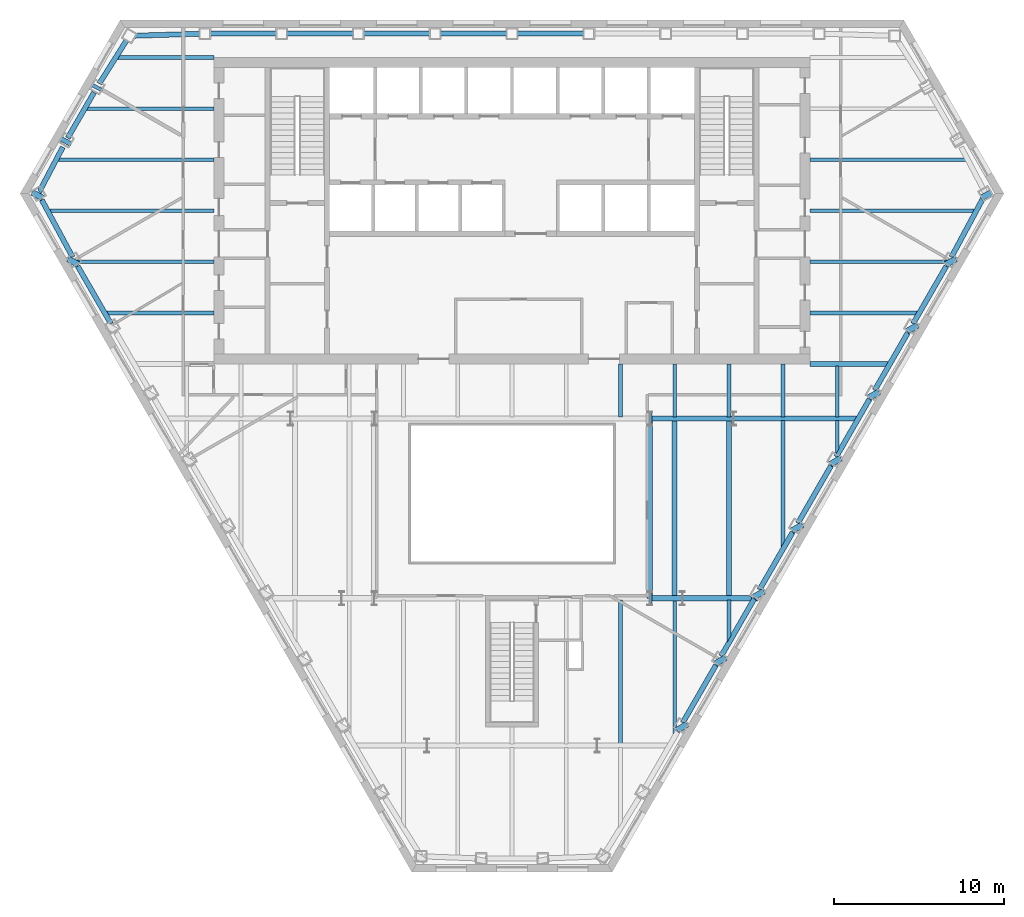
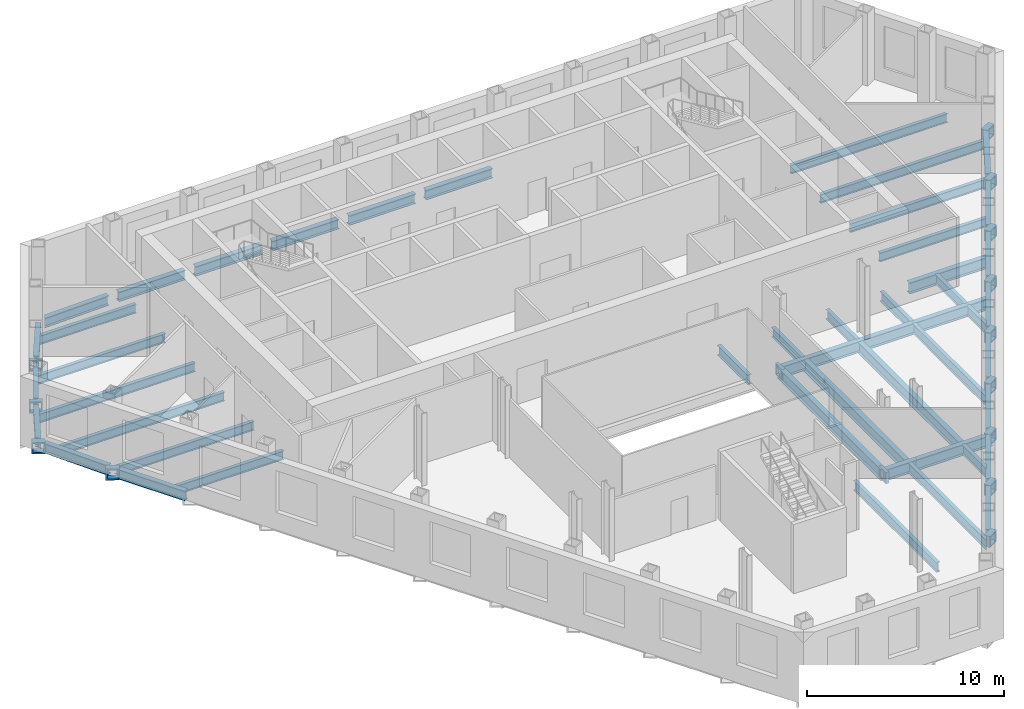
# One storey, part 3 of 11: 62 beams.
"""IFC4 building model written with IfcOpenShell, lengths in metres."""

from ifc_helpers import new_model, si_unit, direction, frame, origin, origin_2d, place, context, subcontext, project, spatial, hollow_rectangle, i_section, extrude, clip, halfspace, material, material_profile, profile_set, type_object, element, save


model = new_model("IFC4")

# Units and contexts
model_context = context("Model", 3, precision=1e-05, world=origin(), true_north=direction((0.0, 1.0)))
body_context = subcontext(model_context, "Body", "Model", "MODEL_VIEW")
ifc_project = project(units=[si_unit("LENGTHUNIT", "METRE"), si_unit("AREAUNIT", "SQUARE_METRE"), si_unit("VOLUMEUNIT", "CUBIC_METRE"), si_unit("PLANEANGLEUNIT", "RADIAN"), si_unit("MASSUNIT", "GRAM", prefix="KILO")], contexts=[model_context])

# Site, building, storey
site_placement = place(None, origin())
site = spatial("IfcSite", under=ifc_project, at=site_placement, CompositionType="ELEMENT")
building_placement = place(site_placement, origin())
building = spatial("IfcBuilding", under=site, at=building_placement, Name="Njiva Tower", CompositionType="ELEMENT")
storey_placement = place(building_placement, frame((0.0, 0.0, 33.3)))
storey = spatial("IfcBuildingStorey", under=building, at=storey_placement, Name="L06", CompositionType="ELEMENT", Elevation=33.3)

# Beams
ifc_material = material(Name="Steel S355 J2", Category="steel")
ifc_material_profile_1 = material_profile(ifc_material, i_section(OverallWidth=0.21, OverallDepth=0.55, WebThickness=0.0111, FlangeThickness=0.0172, at=origin_2d()), Name="IPE 550")
ifc_profile_set_1 = profile_set([ifc_material_profile_1], Name="Steel S355 J2")
beam_type_1 = type_object("IfcBeamType", Name="B10 Floor beam to the core IPE 550", PredefinedType="BEAM", material=ifc_profile_set_1)
beam_1_placement = place(storey_placement, frame((-23.876, 3.0, -0.475), z_axis=(1.0, 0.0, 0.0), x_axis=(0.0, 1.0, 0.0)))
element("IfcBeam", 1, at=beam_1_placement, inside=storey, type_object=beam_type_1, Name="Floor beam to the core S02-B006", PredefinedType="BEAM", context=body_context, shape_type="Clipping", body=[
    clip(extrude(i_section(OverallWidth=0.21, OverallDepth=0.55, WebThickness=0.0111, FlangeThickness=0.0172, at=origin_2d()), origin(), (0.0, 0.0, 1.0), 6.376), halfspace(frame((-0.025, 0.0, 0.0951), z_axis=(-0.499998009787, 0.0, -0.866026552831), x_axis=(0.0, -1.0, 0.0)), False)),
])
beam_2_placement = place(storey_placement, frame((17.5, 3.0, -0.475), z_axis=(1.0, 0.0, 0.0), x_axis=(0.0, 1.0, 0.0)))
element("IfcBeam", 2, at=beam_2_placement, inside=storey, type_object=beam_type_1, Name="Floor beam to the core S02-B008", PredefinedType="BEAM", context=body_context, shape_type="Clipping", body=[
    clip(extrude(i_section(OverallWidth=0.21, OverallDepth=0.55, WebThickness=0.0111, FlangeThickness=0.0172, at=origin_2d()), origin(), (0.0, 0.0, 1.0), 6.376), halfspace(frame((-0.025, 0.0, 6.2809), z_axis=(-0.499998009787, 0.0, 0.866026552831), x_axis=(0.0, 1.0, 0.0)), False)),
])
beam_3_placement = place(storey_placement, frame((-25.612, 6.0, -0.475), z_axis=(1.0, 0.0, 0.0), x_axis=(0.0, 1.0, 0.0)))
element("IfcBeam", 3, at=beam_3_placement, inside=storey, type_object=beam_type_1, Name="Floor beam to the core S02-B003", PredefinedType="BEAM", context=body_context, shape_type="Clipping", body=[
    clip(extrude(i_section(OverallWidth=0.21, OverallDepth=0.55, WebThickness=0.0111, FlangeThickness=0.0172, at=origin_2d()), origin(), (0.0, 0.0, 1.0), 8.112), halfspace(frame((-0.025, 0.0, 0.0954), z_axis=(-0.499998009787, 0.0, -0.866026552831), x_axis=(0.0, -1.0, 0.0)), False)),
])
beam_4_placement = place(storey_placement, frame((17.5, 6.0, -0.475), z_axis=(1.0, 0.0, 0.0), x_axis=(0.0, 1.0, 0.0)))
element("IfcBeam", 4, at=beam_4_placement, inside=storey, type_object=beam_type_1, Name="Floor beam to the core S02-B010", PredefinedType="BEAM", context=body_context, shape_type="Clipping", body=[
    clip(extrude(i_section(OverallWidth=0.21, OverallDepth=0.55, WebThickness=0.0111, FlangeThickness=0.0172, at=origin_2d()), origin(), (0.0, 0.0, 1.0), 8.112), halfspace(frame((-0.025, 0.0, 8.0166), z_axis=(-0.499998009787, 0.0, 0.866026552831), x_axis=(0.0, 1.0, 0.0)), False)),
])
beam_5_placement = place(storey_placement, frame((-26.721, 12.0, -0.475), z_axis=(1.0, 0.0, 0.0), x_axis=(0.0, 1.0, 0.0)))
element("IfcBeam", 5, at=beam_5_placement, inside=storey, type_object=beam_type_1, Name="Floor beam to the core S02-B002", PredefinedType="BEAM", context=body_context, shape_type="Clipping", body=[
    clip(extrude(i_section(OverallWidth=0.21, OverallDepth=0.55, WebThickness=0.0111, FlangeThickness=0.0172, at=origin_2d()), origin(), (0.0, 0.0, 1.0), 9.221), halfspace(frame((0.0234, 0.0, 0.0871), z_axis=(0.467062323174, 0.0, -0.884224398143), x_axis=(0.0, -1.0, 0.0)), False)),
])
beam_6_placement = place(storey_placement, frame((17.5, 12.0, -0.475), z_axis=(1.0, 0.0, 0.0), x_axis=(0.0, 1.0, 0.0)))
element("IfcBeam", 6, at=beam_6_placement, inside=storey, type_object=beam_type_1, Name="Floor beam to the core S02-B012", PredefinedType="BEAM", context=body_context, shape_type="Clipping", body=[
    clip(extrude(i_section(OverallWidth=0.21, OverallDepth=0.55, WebThickness=0.0111, FlangeThickness=0.0172, at=origin_2d()), origin(), (0.0, 0.0, 1.0), 9.221), halfspace(frame((0.0234, 0.0, 9.1339), z_axis=(0.467062323174, 0.0, 0.884224398143), x_axis=(0.0, 1.0, 0.0)), False)),
])
beam_7_placement = place(storey_placement, frame((-25.049, 15.0, -0.475), z_axis=(1.0, 0.0, 0.0), x_axis=(0.0, 1.0, 0.0)))
element("IfcBeam", 7, at=beam_7_placement, inside=storey, type_object=beam_type_1, Name="Floor beam to the core S02-B005", PredefinedType="BEAM", context=body_context, shape_type="Clipping", body=[
    clip(extrude(i_section(OverallWidth=0.21, OverallDepth=0.55, WebThickness=0.0111, FlangeThickness=0.0172, at=origin_2d()), origin(), (0.0, 0.0, 1.0), 7.549), halfspace(frame((0.025, 0.0, 0.0954), z_axis=(0.499998009787, 0.0, -0.866026552831), x_axis=(0.0, -1.0, 0.0)), False)),
])
beam_8_placement = place(storey_placement, frame((-23.231, 18.0, -0.475), z_axis=(1.0, 0.0, 0.0), x_axis=(0.0, 1.0, 0.0)))
element("IfcBeam", 8, at=beam_8_placement, inside=storey, type_object=beam_type_1, Name="Floor beam to the core S02-B007", PredefinedType="BEAM", context=body_context, shape_type="Clipping", body=[
    clip(extrude(i_section(OverallWidth=0.21, OverallDepth=0.55, WebThickness=0.0111, FlangeThickness=0.0172, at=origin_2d()), origin(), (0.0, 0.0, 1.0), 5.731), halfspace(frame((0.0266, 0.0, 0.1031), z_axis=(0.53222991141, 0.0, -0.846599859083), x_axis=(0.0, -1.0, 0.0)), False)),
])
ifc_material_profile_2 = material_profile(ifc_material, i_section(OverallWidth=0.21, OverallDepth=0.55, WebThickness=0.0111, FlangeThickness=0.0172, at=origin_2d()), Name="IPE 550")
ifc_profile_set_2 = profile_set([ifc_material_profile_2], Name="Steel S355 J2")
beam_type_2 = type_object("IfcBeamType", Name="B11 Long-span floor beam to the core IPE 550", PredefinedType="BEAM", material=ifc_profile_set_2)
beam_9_placement = place(storey_placement, frame((-27.224, 9.0, -0.475), z_axis=(1.0, 0.0, 0.0), x_axis=(0.0, 1.0, 0.0)))
element("IfcBeam", 9, at=beam_9_placement, inside=storey, type_object=beam_type_2, Name="Long-span floor beam to the core S02-B001", PredefinedType="BEAM", context=body_context, shape_type="Clipping", body=[
    clip(extrude(i_section(OverallWidth=0.21, OverallDepth=0.55, WebThickness=0.0111, FlangeThickness=0.0172, at=origin_2d()), origin(), (0.0, 0.0, 1.0), 9.724), halfspace(frame((-0.0237, 0.0, 0.0891), z_axis=(-0.473777178452, 0.0, -0.88064475538), x_axis=(0.0, -1.0, 0.0)), False)),
])
beam_10_placement = place(storey_placement, frame((17.5, 9.0, -0.475), z_axis=(1.0, 0.0, 0.0), x_axis=(0.0, 1.0, 0.0)))
element("IfcBeam", 10, at=beam_10_placement, inside=storey, type_object=beam_type_2, Name="Long-span floor beam to the core S02-B011", PredefinedType="BEAM", context=body_context, shape_type="Clipping", body=[
    clip(extrude(i_section(OverallWidth=0.21, OverallDepth=0.55, WebThickness=0.0111, FlangeThickness=0.0172, at=origin_2d()), origin(), (0.0, 0.0, 1.0), 9.724), halfspace(frame((-0.0237, 0.0, 9.6349), z_axis=(-0.473777178452, 0.0, 0.88064475538), x_axis=(0.0, 1.0, 0.0)), False)),
])
ifc_material_profile_3 = material_profile(ifc_material, i_section(OverallWidth=0.3, OverallDepth=0.69, WebThickness=0.0145, FlangeThickness=0.027, at=origin_2d()), Name="HEA 700")
ifc_profile_set_3 = profile_set([ifc_material_profile_3], Name="Steel S355 J2")
beam_type_3 = type_object("IfcBeamType", Name="B12 Long-span floor joist HEA 700", PredefinedType="JOIST", material=ifc_profile_set_3)
for number, where, z_axis, x_axis, name in (
    (11, (9.55, -3.3, -0.545), (0.0, -1.0, 0.0), (1.0, 0.0, 0.0), "Long-span floor joist S02-B089"),
    (12, (12.733, -3.3, -0.545), (0.0, -1.0, 0.0), (1.0, 0.0, 0.0), "Long-span floor joist S02-B092"),
):
    element("IfcBeam", number, at=place(storey_placement, frame(where, z_axis=z_axis, x_axis=x_axis)), inside=storey, type_object=beam_type_3, Name=name, PredefinedType="JOIST", context=body_context, shape_type="SweptSolid", body=[
        extrude(i_section(OverallWidth=0.3, OverallDepth=0.69, WebThickness=0.0145, FlangeThickness=0.027, at=origin_2d()), origin(), (0.0, 0.0, 1.0), 10.35),
    ])
ifc_material_profile_4 = material_profile(ifc_material, i_section(OverallWidth=0.22, OverallDepth=0.6, WebThickness=0.012, FlangeThickness=0.019, at=origin_2d()), Name="IPE 600")
ifc_profile_set_4 = profile_set([ifc_material_profile_4], Name="Steel S355 J2")
beam_type_4 = type_object("IfcBeamType", Name="B13 Floor joist IPE 600", PredefinedType="JOIST", material=ifc_profile_set_4)
beam_11_placement = place(storey_placement, frame((6.367, -13.851, -0.5), z_axis=(0.0, -1.0, 0.0), x_axis=(1.0, 0.0, 0.0)))
element("IfcBeam", 13, at=beam_11_placement, inside=storey, type_object=beam_type_4, Name="Floor joist S02-B086", PredefinedType="JOIST", context=body_context, shape_type="SweptSolid", body=[
    extrude(i_section(OverallWidth=0.22, OverallDepth=0.6, WebThickness=0.012, FlangeThickness=0.019, at=origin_2d()), origin(), (0.0, 0.0, 1.0), 8.449),
])
beam_12_placement = place(storey_placement, frame((9.55, -13.85, -0.5), z_axis=(0.0, -1.0, 0.0), x_axis=(1.0, 0.0, 0.0)))
element("IfcBeam", 14, at=beam_12_placement, inside=storey, type_object=beam_type_4, Name="Floor joist S02-B088", PredefinedType="JOIST", context=body_context, shape_type="Clipping", body=[
    clip(extrude(i_section(OverallWidth=0.22, OverallDepth=0.6, WebThickness=0.012, FlangeThickness=0.019, at=origin_2d()), origin(), (0.0, 0.0, 1.0), 8.035), halfspace(frame((0.0433, 0.0, 7.7487), z_axis=(0.866026552831, 0.0, 0.499998009787), x_axis=(0.0, 1.0, 0.0)), False)),
])
beam_13_placement = place(storey_placement, frame((15.917, -3.3, -0.5), z_axis=(0.0, -1.0, 0.0), x_axis=(1.0, 0.0, 0.0)))
element("IfcBeam", 15, at=beam_13_placement, inside=storey, type_object=beam_type_4, Name="Floor joist S02-B094", PredefinedType="JOIST", context=body_context, shape_type="Clipping", body=[
    clip(extrude(i_section(OverallWidth=0.22, OverallDepth=0.6, WebThickness=0.012, FlangeThickness=0.019, at=origin_2d()), origin(), (0.0, 0.0, 1.0), 7.557), halfspace(frame((0.043, 0.0, 7.2713), z_axis=(0.866026552831, 0.0, 0.499998009787), x_axis=(0.0, 1.0, 0.0)), False)),
])
ifc_material_profile_5 = material_profile(ifc_material, i_section(OverallWidth=0.22, OverallDepth=0.6, WebThickness=0.012, FlangeThickness=0.019, at=origin_2d()), Name="IPE 600")
ifc_profile_set_5 = profile_set([ifc_material_profile_5], Name="Steel S355 J2")
beam_type_5 = type_object("IfcBeamType", Name="B14 Short-span floor joist IPE 600", PredefinedType="JOIST", material=ifc_profile_set_5)
beam_14_placement = place(storey_placement, frame((6.367, -0.005, -0.5), z_axis=(0.0, -1.0, 0.0), x_axis=(1.0, 0.0, 0.0)))
element("IfcBeam", 16, at=beam_14_placement, inside=storey, type_object=beam_type_5, Name="Short-span floor joist S02-B087", PredefinedType="JOIST", context=body_context, shape_type="SweptSolid", body=[
    extrude(i_section(OverallWidth=0.22, OverallDepth=0.6, WebThickness=0.012, FlangeThickness=0.019, at=origin_2d()), origin(), (0.0, 0.0, 1.0), 3.094),
])
for number, where, z_axis, x_axis, name in (
    (17, (9.55, -0.005, -0.5), (0.0, -1.0, 0.0), (1.0, 0.0, 0.0), "Short-span floor joist S02-B090"),
    (18, (12.733, -0.005, -0.5), (0.0, -1.0, 0.0), (1.0, 0.0, 0.0), "Short-span floor joist S02-B093"),
):
    element("IfcBeam", number, at=place(storey_placement, frame(where, z_axis=z_axis, x_axis=x_axis)), inside=storey, type_object=beam_type_5, Name=name, PredefinedType="JOIST", context=body_context, shape_type="SweptSolid", body=[
        extrude(i_section(OverallWidth=0.22, OverallDepth=0.6, WebThickness=0.012, FlangeThickness=0.019, at=origin_2d()), origin(), (0.0, 0.0, 1.0), 3.095),
    ])
beam_15_placement = place(storey_placement, frame((12.733, -13.85, -0.5), z_axis=(0.0, -1.0, 0.0), x_axis=(1.0, 0.0, 0.0)))
element("IfcBeam", 19, at=beam_15_placement, inside=storey, type_object=beam_type_5, Name="Short-span floor joist S02-B091", PredefinedType="JOIST", context=body_context, shape_type="Clipping", body=[
    clip(extrude(i_section(OverallWidth=0.22, OverallDepth=0.6, WebThickness=0.012, FlangeThickness=0.019, at=origin_2d()), origin(), (0.0, 0.0, 1.0), 2.521), halfspace(frame((0.0436, 0.0, 2.235), z_axis=(0.866026552831, 0.0, 0.499998009787), x_axis=(0.0, 1.0, 0.0)), False)),
])
beam_16_placement = place(storey_placement, frame((15.917, -0.005, -0.5), z_axis=(0.0, -1.0, 0.0), x_axis=(1.0, 0.0, 0.0)))
element("IfcBeam", 20, at=beam_16_placement, inside=storey, type_object=beam_type_5, Name="Short-span floor joist S02-B095", PredefinedType="JOIST", context=body_context, shape_type="SweptSolid", body=[
    extrude(i_section(OverallWidth=0.22, OverallDepth=0.6, WebThickness=0.012, FlangeThickness=0.019, at=origin_2d()), origin(), (0.0, 0.0, 1.0), 3.095),
])
beam_17_placement = place(storey_placement, frame((19.1, -0.1, -0.5), z_axis=(0.0, -1.0, 0.0), x_axis=(1.0, 0.0, 0.0)))
element("IfcBeam", 21, at=beam_17_placement, inside=storey, type_object=beam_type_5, Name="Short-span floor joist S02-B098", PredefinedType="JOIST", context=body_context, shape_type="SweptSolid", body=[
    extrude(i_section(OverallWidth=0.22, OverallDepth=0.6, WebThickness=0.012, FlangeThickness=0.019, at=origin_2d()), origin(), (0.0, 0.0, 1.0), 3.0),
])
beam_18_placement = place(storey_placement, frame((19.1, -3.3, -0.5), z_axis=(0.0, -1.0, 0.0), x_axis=(1.0, 0.0, 0.0)))
element("IfcBeam", 22, at=beam_18_placement, inside=storey, type_object=beam_type_5, Name="Short-span floor joist S02-B097", PredefinedType="JOIST", context=body_context, shape_type="Clipping", body=[
    clip(extrude(i_section(OverallWidth=0.22, OverallDepth=0.6, WebThickness=0.012, FlangeThickness=0.019, at=origin_2d()), origin(), (0.0, 0.0, 1.0), 2.044), halfspace(frame((0.0433, 0.0, 1.7576), z_axis=(0.866026552831, 0.0, 0.499998009787), x_axis=(0.0, 1.0, 0.0)), False)),
])
ifc_material_profile_6 = material_profile(ifc_material, i_section(OverallWidth=0.3, OverallDepth=0.69, WebThickness=0.0145, FlangeThickness=0.027, at=origin_2d()), Name="HEA 700")
ifc_profile_set_6 = profile_set([ifc_material_profile_6], Name="Steel S355 J2")
beam_type_6 = type_object("IfcBeamType", Name="B15 Floor girder HEA 700", PredefinedType="BEAM", material=ifc_profile_set_6)
beam_19_placement = place(storey_placement, frame((8.09, -3.2, -0.545), z_axis=(1.0, 0.0, 0.0), x_axis=(0.0, 1.0, 0.0)))
element("IfcBeam", 23, at=beam_19_placement, inside=storey, type_object=beam_type_6, Name="Floor girder S02-B025", PredefinedType="BEAM", context=body_context, shape_type="SweptSolid", body=[
    extrude(i_section(OverallWidth=0.3, OverallDepth=0.69, WebThickness=0.0145, FlangeThickness=0.027, at=origin_2d()), origin(), (0.0, 0.0, 1.0), 4.91),
])
beam_20_placement = place(storey_placement, frame((13.0, -3.2, -0.545), z_axis=(1.0, 0.0, 0.0), x_axis=(0.0, 1.0, 0.0)))
element("IfcBeam", 24, at=beam_20_placement, inside=storey, type_object=beam_type_6, Name="Floor girder S02-B028", PredefinedType="BEAM", context=body_context, shape_type="Clipping", body=[
    clip(extrude(i_section(OverallWidth=0.3, OverallDepth=0.69, WebThickness=0.0145, FlangeThickness=0.027, at=origin_2d()), origin(), (0.0, 0.0, 1.0), 7.323), halfspace(frame((-0.025, 0.0, 7.2013), z_axis=(-0.499998009787, 0.0, 0.866026552831), x_axis=(0.0, 1.0, 0.0)), False)),
])
beam_21_placement = place(storey_placement, frame((17.5, 0.0, -0.545), z_axis=(1.0, 0.0, 0.0), x_axis=(0.0, 1.0, 0.0)))
element("IfcBeam", 25, at=beam_21_placement, inside=storey, type_object=beam_type_6, Name="Floor girder S02-B029", PredefinedType="BEAM", context=body_context, shape_type="Clipping", body=[
    clip(extrude(i_section(OverallWidth=0.3, OverallDepth=0.69, WebThickness=0.0145, FlangeThickness=0.027, at=origin_2d()), origin(), (0.0, 0.0, 1.0), 4.67), halfspace(frame((-0.025, 0.0, 4.5489), z_axis=(-0.499998009787, 0.0, 0.866026552831), x_axis=(0.0, 1.0, 0.0)), False)),
])
ifc_material_profile_7 = material_profile(ifc_material, i_section(OverallWidth=0.3, OverallDepth=0.69, WebThickness=0.0145, FlangeThickness=0.027, at=origin_2d()), Name="HEA 700")
ifc_profile_set_7 = profile_set([ifc_material_profile_7], Name="Steel S355 J2")
beam_type_7 = type_object("IfcBeamType", Name="B16 Short-span floor girder HEA 700", PredefinedType="BEAM", material=ifc_profile_set_7)
beam_22_placement = place(storey_placement, frame((8.09, -13.75, -0.545), z_axis=(1.0, 0.0, 0.0), x_axis=(0.0, 1.0, 0.0)))
element("IfcBeam", 26, at=beam_22_placement, inside=storey, type_object=beam_type_7, Name="Short-span floor girder S02-B024", PredefinedType="BEAM", context=body_context, shape_type="SweptSolid", body=[
    extrude(i_section(OverallWidth=0.3, OverallDepth=0.69, WebThickness=0.0145, FlangeThickness=0.027, at=origin_2d()), origin(), (0.0, 0.0, 1.0), 1.91),
])
beam_23_placement = place(storey_placement, frame((10.0, -13.75, -0.545), z_axis=(1.0, 0.0, 0.0), x_axis=(0.0, 1.0, 0.0)))
element("IfcBeam", 27, at=beam_23_placement, inside=storey, type_object=beam_type_7, Name="Short-span floor girder S02-B027", PredefinedType="BEAM", context=body_context, shape_type="Clipping", body=[
    clip(extrude(i_section(OverallWidth=0.3, OverallDepth=0.69, WebThickness=0.0145, FlangeThickness=0.027, at=origin_2d()), origin(), (0.0, 0.0, 1.0), 4.467), halfspace(frame((0.0433, 0.0, 4.1118), z_axis=(0.866026552831, 0.0, 0.499998009787), x_axis=(0.0, 1.0, 0.0)), False)),
])
ifc_material_profile_8 = material_profile(ifc_material, i_section(OverallWidth=0.3, OverallDepth=0.69, WebThickness=0.0145, FlangeThickness=0.027, at=origin_2d()), Name="HEA 700")
ifc_profile_set_8 = profile_set([ifc_material_profile_8], Name="Steel S355 J2")
beam_type_8 = type_object("IfcBeamType", Name="B18 Long-span atrium trimmer beam HEA 700", PredefinedType="BEAM", material=ifc_profile_set_8)
beam_24_placement = place(storey_placement, frame((8.09, -13.75, -0.545), z_axis=(0.0, 1.0, 0.0), x_axis=(-1.0, 0.0, 0.0)))
element("IfcBeam", 28, at=beam_24_placement, inside=storey, type_object=beam_type_8, Name="Long-span atrium trimmer beam S02-B103", PredefinedType="BEAM", context=body_context, shape_type="SweptSolid", body=[
    extrude(i_section(OverallWidth=0.3, OverallDepth=0.69, WebThickness=0.0145, FlangeThickness=0.027, at=origin_2d()), origin(), (0.0, 0.0, 1.0), 10.55),
])
ifc_material_profile_9 = material_profile(ifc_material, hollow_rectangle(XDim=0.7, YDim=0.7, WallThickness=0.08, at=origin_2d()), Name="BOX 700x700x80")
ifc_profile_set_9 = profile_set([ifc_material_profile_9], Name="Steel S355 J2")
beam_type_9 = type_object("IfcBeamType", Name="B19 Column jog beam BOX 700x700x80", PredefinedType="BEAM", material=ifc_profile_set_9)
beam_25_placement = place(storey_placement, frame((-24.411, 16.149, -0.55), z_axis=(0.449231473961, 0.893415403271, 0.0), x_axis=(-0.893415403271, 0.449231473961, 0.0)))
element("IfcBeam", 29, at=beam_25_placement, inside=storey, type_object=beam_type_9, Name="Column jog beam S02-B033", PredefinedType="BEAM", context=body_context, shape_type="SweptSolid", body=[
    extrude(hollow_rectangle(XDim=0.7, YDim=0.7, WallThickness=0.08, at=origin_2d()), origin(), (0.0, 0.0, 1.0), 0.1981),
])
beam_26_placement = place(storey_placement, frame((-26.258, 12.952, -0.55), z_axis=(0.471522073271, 0.881854259171, 0.0), x_axis=(-0.881854259171, 0.471522073271, 0.0)))
element("IfcBeam", 30, at=beam_26_placement, inside=storey, type_object=beam_type_9, Name="Column jog beam S02-B031", PredefinedType="BEAM", context=body_context, shape_type="SweptSolid", body=[
    extrude(hollow_rectangle(XDim=0.7, YDim=0.7, WallThickness=0.08, at=origin_2d()), origin(), (0.0, 0.0, 1.0), 0.2778),
])
beam_27_placement = place(storey_placement, frame((-27.952, 9.755, -0.55), z_axis=(0.482561085587, 0.875862317192, 0.0), x_axis=(-0.875862317192, 0.482561085587, 0.0)))
element("IfcBeam", 31, at=beam_27_placement, inside=storey, type_object=beam_type_9, Name="Column jog beam S02-B030", PredefinedType="BEAM", context=body_context, shape_type="SweptSolid", body=[
    extrude(hollow_rectangle(XDim=0.7, YDim=0.7, WallThickness=0.08, at=origin_2d()), origin(), (0.0, 0.0, 1.0), 0.3585),
])
beam_28_placement = place(storey_placement, frame((-25.851, 5.852, -0.55), z_axis=(0.486120018843, 0.873892056996, 0.0), x_axis=(-0.873892056996, 0.486120018843, 0.0)))
element("IfcBeam", 32, at=beam_28_placement, inside=storey, type_object=beam_type_9, Name="Column jog beam S02-B032", PredefinedType="BEAM", context=body_context, shape_type="SweptSolid", body=[
    extrude(hollow_rectangle(XDim=0.7, YDim=0.7, WallThickness=0.08, at=origin_2d()), origin(), (0.0, 0.0, 1.0), 0.3559),
])
for number, where, z_axis, x_axis, name in (
    (33, (10.077, -21.474, -0.55), (-0.510343304635, 0.859970761953, 0.0), (-0.859970761953, -0.510343304635, 0.0), "Column jog beam S02-B051"),
    (34, (12.331, -17.57, -0.55), (-0.510343304635, 0.859970761953, 0.0), (-0.859970761953, -0.510343304635, 0.0), "Column jog beam S02-B052"),
):
    element("IfcBeam", number, at=place(storey_placement, frame(where, z_axis=z_axis, x_axis=x_axis)), inside=storey, type_object=beam_type_9, Name=name, PredefinedType="BEAM", context=body_context, shape_type="SweptSolid", body=[
        extrude(hollow_rectangle(XDim=0.7, YDim=0.7, WallThickness=0.08, at=origin_2d()), origin(), (0.0, 0.0, 1.0), 0.3547),
    ])
beam_29_placement = place(storey_placement, frame((14.583, -13.667, -0.55), z_axis=(-0.501591568535, 0.865104559215, 0.0), x_axis=(-0.865104559215, -0.501591568535, 0.0)))
element("IfcBeam", 35, at=beam_29_placement, inside=storey, type_object=beam_type_9, Name="Column jog beam S02-B053", PredefinedType="BEAM", context=body_context, shape_type="SweptSolid", body=[
    extrude(hollow_rectangle(XDim=0.7, YDim=0.7, WallThickness=0.08, at=origin_2d()), origin(), (0.0, 0.0, 1.0), 0.3549),
])
for number, where, z_axis, x_axis, name in (
    (36, (16.837, -9.763, -0.55), (-0.498259552762, 0.86702792232, 0.0), (-0.86702792232, -0.498259552762, 0.0), "Column jog beam S02-B054"),
    (37, (19.091, -5.859, -0.55), (-0.498259552762, 0.86702792232, 0.0), (-0.86702792232, -0.498259552762, 0.0), "Column jog beam S02-B055"),
):
    element("IfcBeam", number, at=place(storey_placement, frame(where, z_axis=z_axis, x_axis=x_axis)), inside=storey, type_object=beam_type_9, Name=name, PredefinedType="BEAM", context=body_context, shape_type="SweptSolid", body=[
        extrude(hollow_rectangle(XDim=0.7, YDim=0.7, WallThickness=0.08, at=origin_2d()), origin(), (0.0, 0.0, 1.0), 0.3552),
    ])
beam_30_placement = place(storey_placement, frame((21.345, -1.955, -0.55), z_axis=(-0.497045922111, 0.867724236905, 0.0), x_axis=(-0.867724236905, -0.497045922111, 0.0)))
element("IfcBeam", 38, at=beam_30_placement, inside=storey, type_object=beam_type_9, Name="Column jog beam S02-B056", PredefinedType="BEAM", context=body_context, shape_type="SweptSolid", body=[
    extrude(hollow_rectangle(XDim=0.7, YDim=0.7, WallThickness=0.08, at=origin_2d()), origin(), (0.0, 0.0, 1.0), 0.3561),
])
beam_31_placement = place(storey_placement, frame((23.598, 1.948, -0.55), z_axis=(-0.489459706802, 0.872025914418, 0.0), x_axis=(-0.872025914418, -0.489459706802, 0.0)))
element("IfcBeam", 39, at=beam_31_placement, inside=storey, type_object=beam_type_9, Name="Column jog beam S02-B057", PredefinedType="BEAM", context=body_context, shape_type="SweptSolid", body=[
    extrude(hollow_rectangle(XDim=0.7, YDim=0.7, WallThickness=0.08, at=origin_2d()), origin(), (0.0, 0.0, 1.0), 0.3555),
])
beam_32_placement = place(storey_placement, frame((25.851, 5.852, -0.55), z_axis=(-0.486120018843, 0.873892056996, 0.0), x_axis=(-0.873892056996, -0.486120018843, 0.0)))
element("IfcBeam", 40, at=beam_32_placement, inside=storey, type_object=beam_type_9, Name="Column jog beam S02-B059", PredefinedType="BEAM", context=body_context, shape_type="SweptSolid", body=[
    extrude(hollow_rectangle(XDim=0.7, YDim=0.7, WallThickness=0.08, at=origin_2d()), origin(), (0.0, 0.0, 1.0), 0.3559),
])
beam_33_placement = place(storey_placement, frame((27.952, 9.755, -0.55), z_axis=(-0.482561085587, 0.875862317192, 0.0), x_axis=(-0.875862317192, -0.482561085587, 0.0)))
element("IfcBeam", 41, at=beam_33_placement, inside=storey, type_object=beam_type_9, Name="Column jog beam S02-B061", PredefinedType="BEAM", context=body_context, shape_type="SweptSolid", body=[
    extrude(hollow_rectangle(XDim=0.7, YDim=0.7, WallThickness=0.08, at=origin_2d()), origin(), (0.0, 0.0, 1.0), 0.3585),
])
for number, where, z_axis, x_axis, name in (
    (42, (8.21, -3.2, -0.55), (-1.0, 0.0, 0.0), (0.0, -1.0, 0.0), "Column jog beam S02-B050"),
    (43, (8.21, -13.75, -0.55), (-1.0, 0.0, 0.0), (0.0, -1.0, 0.0), "Column jog beam S02-B049"),
):
    element("IfcBeam", number, at=place(storey_placement, frame(where, z_axis=z_axis, x_axis=x_axis)), inside=storey, type_object=beam_type_9, Name=name, PredefinedType="BEAM", context=body_context, shape_type="SweptSolid", body=[
        extrude(hollow_rectangle(XDim=0.7, YDim=0.7, WallThickness=0.08, at=origin_2d()), origin(), (0.0, 0.0, 1.0), 0.18),
    ])
ifc_material_profile_10 = material_profile(ifc_material, i_section(OverallWidth=0.3, OverallDepth=0.6, WebThickness=0.0155, FlangeThickness=0.03, at=origin_2d()), Name="HEB 600")
ifc_profile_set_10 = profile_set([ifc_material_profile_10], Name="Steel S355 J2")
beam_type_10 = type_object("IfcBeamType", Name="B3 Short-span spandrel beam HEB 600", PredefinedType="SPANDREL", material=ifc_profile_set_10)
for number, where, z_axis, x_axis, name in (
    (44, (4.208, 19.4, -0.5), (-1.0, 0.0, 0.0), (0.0, -1.0, 0.0), "Short-span spandrel beam S02-B143"),
    (45, (-0.3, 19.4, -0.5), (-1.0, 0.0, 0.0), (0.0, -1.0, 0.0), "Short-span spandrel beam S02-B140"),
):
    element("IfcBeam", number, at=place(storey_placement, frame(where, z_axis=z_axis, x_axis=x_axis)), inside=storey, type_object=beam_type_10, Name=name, PredefinedType="SPANDREL", context=body_context, shape_type="SweptSolid", body=[
        extrude(i_section(OverallWidth=0.3, OverallDepth=0.6, WebThickness=0.0155, FlangeThickness=0.03, at=origin_2d()), origin(), (0.0, 0.0, 1.0), 3.908),
    ])
beam_34_placement = place(storey_placement, frame((-4.808, 19.4, -0.5), z_axis=(-1.0, 0.0, 0.0), x_axis=(0.0, -1.0, 0.0)))
element("IfcBeam", 46, at=beam_34_placement, inside=storey, type_object=beam_type_10, Name="Short-span spandrel beam S02-B135", PredefinedType="SPANDREL", context=body_context, shape_type="SweptSolid", body=[
    extrude(i_section(OverallWidth=0.3, OverallDepth=0.6, WebThickness=0.0155, FlangeThickness=0.03, at=origin_2d()), origin(), (0.0, 0.0, 1.0), 3.907),
])
beam_35_placement = place(storey_placement, frame((-9.315, 19.4, -0.5), z_axis=(-1.0, 0.0, 0.0), x_axis=(0.0, -1.0, 0.0)))
element("IfcBeam", 47, at=beam_35_placement, inside=storey, type_object=beam_type_10, Name="Short-span spandrel beam S02-B130", PredefinedType="SPANDREL", context=body_context, shape_type="SweptSolid", body=[
    extrude(i_section(OverallWidth=0.3, OverallDepth=0.6, WebThickness=0.0155, FlangeThickness=0.03, at=origin_2d()), origin(), (0.0, 0.0, 1.0), 3.908),
])
beam_36_placement = place(storey_placement, frame((-13.823, 19.4, -0.5), z_axis=(-1.0, 0.0, 0.0), x_axis=(0.0, -1.0, 0.0)))
element("IfcBeam", 48, at=beam_36_placement, inside=storey, type_object=beam_type_10, Name="Short-span spandrel beam S02-B124", PredefinedType="SPANDREL", context=body_context, shape_type="SweptSolid", body=[
    extrude(i_section(OverallWidth=0.3, OverallDepth=0.6, WebThickness=0.0155, FlangeThickness=0.03, at=origin_2d()), origin(), (0.0, 0.0, 1.0), 3.907),
])
beam_37_placement = place(storey_placement, frame((-18.334, 19.391, -0.5), z_axis=(-0.99955204828, -0.029928293973, 0.0), x_axis=(0.029928293973, -0.99955204828, 0.0)))
element("IfcBeam", 49, at=beam_37_placement, inside=storey, type_object=beam_type_10, Name="Short-span spandrel beam S02-B118", PredefinedType="SPANDREL", context=body_context, shape_type="Clipping", body=[
    clip(extrude(i_section(OverallWidth=0.3, OverallDepth=0.6, WebThickness=0.0155, FlangeThickness=0.03, at=origin_2d()), origin(), (0.0, 0.0, 1.0), 3.8887), halfspace(frame((-0.0259, 0.0, 3.7599), z_axis=(-0.52569273208, 0.0, 0.850674527324), x_axis=(0.0, 1.0, 0.0)), False)),
])
beam_38_placement = place(storey_placement, frame((-22.627, 19.011, -0.5), z_axis=(-0.532328154202, -0.846538089068, 0.0), x_axis=(0.846538089068, -0.532328154202, 0.0)))
element("IfcBeam", 50, at=beam_38_placement, inside=storey, type_object=beam_type_10, Name="Short-span spandrel beam S02-B113", PredefinedType="SPANDREL", context=body_context, shape_type="SweptSolid", body=[
    extrude(i_section(OverallWidth=0.3, OverallDepth=0.6, WebThickness=0.0155, FlangeThickness=0.03, at=origin_2d()), origin(), (0.0, 0.0, 1.0), 3.0075),
])
beam_39_placement = place(storey_placement, frame((-24.538, 15.945, -0.5), z_axis=(-0.499965068118, -0.866045570776, 0.0), x_axis=(0.866045570776, -0.499965068118, 0.0)))
element("IfcBeam", 51, at=beam_39_placement, inside=storey, type_object=beam_type_10, Name="Short-span spandrel beam S02-B109", PredefinedType="SPANDREL", context=body_context, shape_type="SweptSolid", body=[
    extrude(i_section(OverallWidth=0.3, OverallDepth=0.6, WebThickness=0.0155, FlangeThickness=0.03, at=origin_2d()), origin(), (0.0, 0.0, 1.0), 3.0922),
])
beam_40_placement = place(storey_placement, frame((-26.371, 12.735, -0.5), z_axis=(-0.466956668484, -0.884280198669, 0.0), x_axis=(0.884280198669, -0.466956668484, 0.0)))
element("IfcBeam", 52, at=beam_40_placement, inside=storey, type_object=beam_type_10, Name="Short-span spandrel beam S02-B105", PredefinedType="SPANDREL", context=body_context, shape_type="Clipping", body=[
    clip(extrude(i_section(OverallWidth=0.3, OverallDepth=0.6, WebThickness=0.0155, FlangeThickness=0.03, at=origin_2d()), origin(), (0.0, 0.0, 1.0), 3.0757), halfspace(frame((-0.0271, 0.0, 2.9452), z_axis=(-0.532332727292, 0.0, 0.846535213357), x_axis=(0.0, 1.0, 0.0)), False)),
])
beam_41_placement = place(storey_placement, frame((-27.606, 9.64, -0.5), z_axis=(0.473881592304, -0.880588573896, 0.0), x_axis=(0.880588573896, 0.473881592304, 0.0)))
element("IfcBeam", 53, at=beam_41_placement, inside=storey, type_object=beam_type_10, Name="Short-span spandrel beam S02-B108", PredefinedType="SPANDREL", context=body_context, shape_type="SweptSolid", body=[
    extrude(i_section(OverallWidth=0.3, OverallDepth=0.6, WebThickness=0.0155, FlangeThickness=0.03, at=origin_2d()), origin(), (0.0, 0.0, 1.0), 3.8259),
])
for number, where, z_axis, x_axis, name in (
    (54, (-25.496, 5.746, -0.5), (0.500047346826, -0.865998066356, 0.0), (0.865998066356, 0.500047346826, 0.0), "Short-span spandrel beam S02-B112"),
    (55, (10.02, -21.06, -0.5), (0.500047346826, 0.865998066356, 0.0), (-0.865998066356, 0.500047346826, 0.0), "Short-span spandrel beam S02-B153"),
):
    element("IfcBeam", number, at=place(storey_placement, frame(where, z_axis=z_axis, x_axis=x_axis)), inside=storey, type_object=beam_type_10, Name=name, PredefinedType="SPANDREL", context=body_context, shape_type="SweptSolid", body=[
        extrude(i_section(OverallWidth=0.3, OverallDepth=0.6, WebThickness=0.0155, FlangeThickness=0.03, at=origin_2d()), origin(), (0.0, 0.0, 1.0), 3.9076),
    ])
beam_42_placement = place(storey_placement, frame((12.274, -17.156, -0.5), z_axis=(0.499966215292, 0.866044908516, 0.0), x_axis=(-0.866044908516, 0.499966215292, 0.0)))
element("IfcBeam", 56, at=beam_42_placement, inside=storey, type_object=beam_type_10, Name="Short-span spandrel beam S02-B155", PredefinedType="SPANDREL", context=body_context, shape_type="SweptSolid", body=[
    extrude(i_section(OverallWidth=0.3, OverallDepth=0.6, WebThickness=0.0155, FlangeThickness=0.03, at=origin_2d()), origin(), (0.0, 0.0, 1.0), 3.9063),
])
for number, where, z_axis, x_axis, name in (
    (57, (14.527, -13.254, -0.5), (0.499936548189, 0.866062034606, 0.0), (-0.866062034606, 0.499936548189, 0.0), "Short-span spandrel beam S02-B159"),
    (58, (16.781, -9.35, -0.5), (0.499936548189, 0.866062034606, 0.0), (-0.866062034606, 0.499936548189, 0.0), "Short-span spandrel beam S02-B161"),
):
    element("IfcBeam", number, at=place(storey_placement, frame(where, z_axis=z_axis, x_axis=x_axis)), inside=storey, type_object=beam_type_10, Name=name, PredefinedType="SPANDREL", context=body_context, shape_type="SweptSolid", body=[
        extrude(i_section(OverallWidth=0.3, OverallDepth=0.6, WebThickness=0.0155, FlangeThickness=0.03, at=origin_2d()), origin(), (0.0, 0.0, 1.0), 3.9085),
    ])
beam_43_placement = place(storey_placement, frame((19.035, -5.445, -0.5), z_axis=(0.500047346826, 0.865998066356, 0.0), x_axis=(-0.865998066356, 0.500047346826, 0.0)))
element("IfcBeam", 59, at=beam_43_placement, inside=storey, type_object=beam_type_10, Name="Short-span spandrel beam S02-B165", PredefinedType="SPANDREL", context=body_context, shape_type="SweptSolid", body=[
    extrude(i_section(OverallWidth=0.3, OverallDepth=0.6, WebThickness=0.0155, FlangeThickness=0.03, at=origin_2d()), origin(), (0.0, 0.0, 1.0), 3.9076),
])
beam_44_placement = place(storey_placement, frame((21.289, -1.541, -0.5), z_axis=(0.499966215292, 0.866044908516, 0.0), x_axis=(-0.866044908516, 0.499966215292, 0.0)))
element("IfcBeam", 60, at=beam_44_placement, inside=storey, type_object=beam_type_10, Name="Short-span spandrel beam S02-B167", PredefinedType="SPANDREL", context=body_context, shape_type="SweptSolid", body=[
    extrude(i_section(OverallWidth=0.3, OverallDepth=0.6, WebThickness=0.0155, FlangeThickness=0.03, at=origin_2d()), origin(), (0.0, 0.0, 1.0), 3.9063),
])
beam_45_placement = place(storey_placement, frame((23.542, 2.362, -0.5), z_axis=(0.500047346826, 0.865998066356, 0.0), x_axis=(-0.865998066356, 0.500047346826, 0.0)))
element("IfcBeam", 61, at=beam_45_placement, inside=storey, type_object=beam_type_10, Name="Short-span spandrel beam S02-B171", PredefinedType="SPANDREL", context=body_context, shape_type="SweptSolid", body=[
    extrude(i_section(OverallWidth=0.3, OverallDepth=0.6, WebThickness=0.0155, FlangeThickness=0.03, at=origin_2d()), origin(), (0.0, 0.0, 1.0), 3.9076),
])
beam_46_placement = place(storey_placement, frame((25.793, 6.271, -0.5), z_axis=(0.473716998032, 0.880677129132, 0.0), x_axis=(-0.880677129132, 0.473716998032, 0.0)))
element("IfcBeam", 62, at=beam_46_placement, inside=storey, type_object=beam_type_10, Name="Short-span spandrel beam S02-B175", PredefinedType="SPANDREL", context=body_context, shape_type="Clipping", body=[
    clip(extrude(i_section(OverallWidth=0.3, OverallDepth=0.6, WebThickness=0.0155, FlangeThickness=0.03, at=origin_2d()), origin(), (0.0, 0.0, 1.0), 4.0077), halfspace(frame((-0.0266, 0.0, 3.8787), z_axis=(-0.525832222082, 0.0, 0.850588310654), x_axis=(0.0, 1.0, 0.0)), False)),
])

save(model, "model.ifc")
